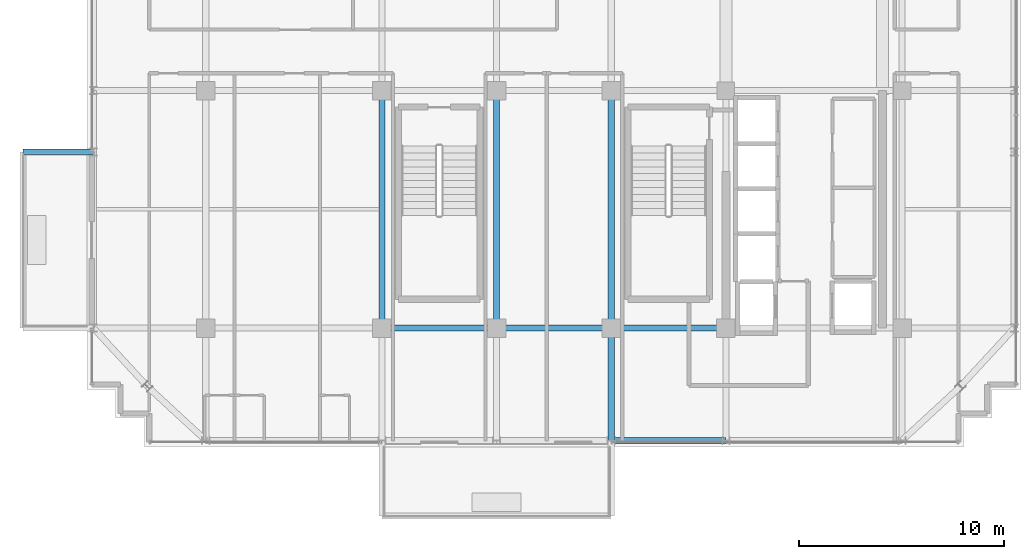
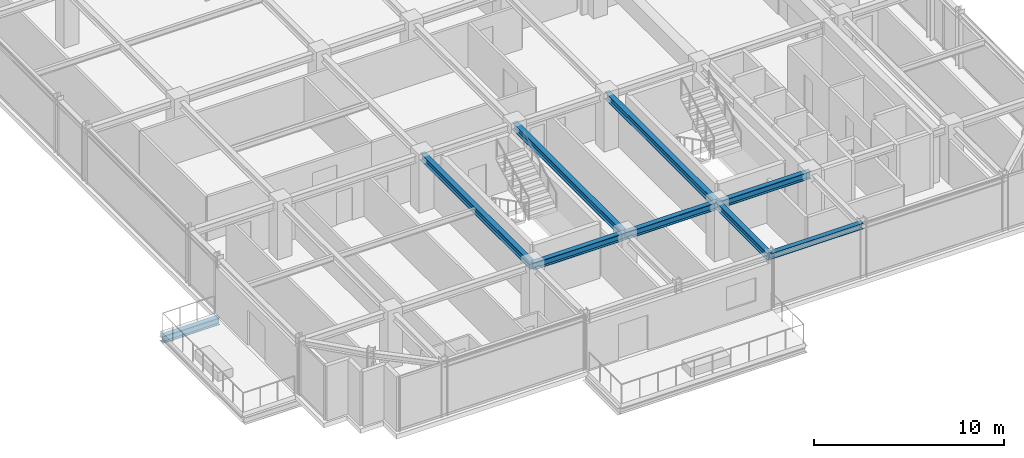
# One storey, part 8 of 31: 9 beams.
"""IFC4 building model written with IfcOpenShell, lengths in metres."""

from ifc_helpers import new_model, si_unit, direction, frame, origin, origin_2d, place, context, subcontext, project, spatial, i_section, extrude, source, transform, mapped, material, material_profile, profile_set, type_object, element, save


model = new_model("IFC4")

# Units and contexts
model_context = context("Model", 3, precision=1e-05, world=origin(), true_north=direction((0.0, 1.0)))
body_context = subcontext(model_context, "Body", "Model", "MODEL_VIEW")
ifc_project = project(units=[si_unit("LENGTHUNIT", "METRE"), si_unit("AREAUNIT", "SQUARE_METRE"), si_unit("VOLUMEUNIT", "CUBIC_METRE"), si_unit("PLANEANGLEUNIT", "RADIAN"), si_unit("MASSUNIT", "GRAM", prefix="KILO")], contexts=[model_context])

# Site, building, storey
site_placement = place(None, origin())
site = spatial("IfcSite", under=ifc_project, at=site_placement, CompositionType="ELEMENT")
building_placement = place(site_placement, origin())
building = spatial("IfcBuilding", under=site, at=building_placement, Name="Nahalor Promenade Grand Hotel", CompositionType="ELEMENT")
storey_placement = place(building_placement, frame((0.0, 0.0, 323.35009765625)))
storey = spatial("IfcBuildingStorey", under=building, at=storey_placement, Name="L83", CompositionType="ELEMENT", Elevation=323.35009765625)

# Beams
ifc_material = material(Name="Steel S355JR", Category="steel")
ifc_material_profile_1 = material_profile(ifc_material, i_section(OverallWidth=0.3, OverallDepth=0.45, WebThickness=0.014, FlangeThickness=0.026, at=origin_2d()), Name="HEB 450")
ifc_profile_set_1 = profile_set([ifc_material_profile_1], Name="Steel S355JR")
beam_type_1 = type_object("IfcBeamType", Name="Beam-Outrigger-HEB450", PredefinedType="BEAM", material=ifc_profile_set_1)
shared_shape_1 = source(origin(), body_context, "Body", "SweptSolid", [
    extrude(i_section(OverallWidth=0.3, OverallDepth=0.45, WebThickness=0.014, FlangeThickness=0.026, at=origin_2d()), origin(), (0.0, 0.0, 1.0), 3.43994140625),
])
beam_1_placement = place(storey_placement, frame((-25.919921875, -8.39990234375, -0.505126953125), z_axis=(1.0, 0.0, 0.0), x_axis=(0.0, 1.0, 0.0)))
element("IfcBeam", 1, at=beam_1_placement, inside=storey, type_object=beam_type_1, Name="BM-L83-BC-02-2", PredefinedType="BEAM", context=body_context, shape_type="MappedRepresentation", body=[
    mapped(shared_shape_1, transform((0.0, 0.0, 0.0), scale=1.0)),
])
ifc_material_profile_2 = material_profile(ifc_material, i_section(OverallWidth=0.3, OverallDepth=0.45, WebThickness=0.014, FlangeThickness=0.026, at=origin_2d()), Name="HEB 450")
ifc_profile_set_2 = profile_set([ifc_material_profile_2], Name="Steel S355JR")
beam_type_2 = type_object("IfcBeamType", Name="Beam-Girder-HEB450", PredefinedType="BEAM", material=ifc_profile_set_2)
shared_shape_2 = source(origin(), body_context, "Body", "SweptSolid", [
    extrude(i_section(OverallWidth=0.3, OverallDepth=0.45, WebThickness=0.014, FlangeThickness=0.026, at=origin_2d()), origin(), (0.0, 0.0, 1.0), 5.599853515625),
])
for number, where, z_axis, x_axis, name in (
    (2, (-8.39990234375, -17.0, 3.27490234375), (1.0, 0.0, 0.0), (0.0, 1.0, 0.0), "BM-L83-GX-0-2"),
    (3, (2.800048828125, -17.0, 3.27490234375), (1.0, 0.0, 0.0), (0.0, 1.0, 0.0), "BM-L83-GX-0-4"),
):
    element("IfcBeam", number, at=place(storey_placement, frame(where, z_axis=z_axis, x_axis=x_axis)), inside=storey, type_object=beam_type_2, Name=name, PredefinedType="BEAM", context=body_context, shape_type="MappedRepresentation", body=[
        mapped(shared_shape_2, transform((0.0, 0.0, 0.0), scale=1.0)),
    ])
shared_shape_3 = source(origin(), body_context, "Body", "SweptSolid", [
    extrude(i_section(OverallWidth=0.3, OverallDepth=0.45, WebThickness=0.014, FlangeThickness=0.026, at=origin_2d()), origin(), (0.0, 0.0, 1.0), 5.60009765625),
])
beam_2_placement = place(storey_placement, frame((-2.800048828125, -17.0, 3.27490234375), z_axis=(1.0, 0.0, 0.0), x_axis=(0.0, 1.0, 0.0)))
element("IfcBeam", 4, at=beam_2_placement, inside=storey, type_object=beam_type_2, Name="BM-L83-GX-0-3", PredefinedType="BEAM", context=body_context, shape_type="MappedRepresentation", body=[
    mapped(shared_shape_3, transform((0.0, 0.0, 0.0), scale=1.0)),
])
shared_shape_4 = source(origin(), body_context, "Body", "SweptSolid", [
    extrude(i_section(OverallWidth=0.3, OverallDepth=0.45, WebThickness=0.014, FlangeThickness=0.026, at=origin_2d()), origin(), (0.0, 0.0, 1.0), 11.60009765625),
])
for number, where, z_axis, x_axis, name in (
    (5, (-8.39990234375, -17.0, 3.27490234375), (0.0, 1.0, 0.0), (-1.0, 0.0, 0.0), "BM-L83-GY-1-1"),
    (6, (-2.800048828125, -17.0, 3.27490234375), (0.0, 1.0, 0.0), (-1.0, 0.0, 0.0), "BM-L83-GY-2-1"),
    (7, (2.800048828125, -17.0, 3.27490234375), (0.0, 1.0, 0.0), (-1.0, 0.0, 0.0), "BM-L83-GY-3-1"),
):
    element("IfcBeam", number, at=place(storey_placement, frame(where, z_axis=z_axis, x_axis=x_axis)), inside=storey, type_object=beam_type_2, Name=name, PredefinedType="BEAM", context=body_context, shape_type="MappedRepresentation", body=[
        mapped(shared_shape_4, transform((0.0, 0.0, 0.0), scale=1.0)),
    ])
shared_shape_5 = source(origin(), body_context, "Body", "SweptSolid", [
    extrude(i_section(OverallWidth=0.3, OverallDepth=0.45, WebThickness=0.014, FlangeThickness=0.026, at=origin_2d()), origin(), (0.0, 0.0, 1.0), 5.47998046875),
])
beam_3_placement = place(storey_placement, frame((2.800048828125, -22.47998046875, 3.27490234375), z_axis=(0.0, 1.0, 0.0), x_axis=(-1.0, 0.0, 0.0)))
element("IfcBeam", 8, at=beam_3_placement, inside=storey, type_object=beam_type_2, Name="BM-L83-GY-3-0", PredefinedType="BEAM", context=body_context, shape_type="MappedRepresentation", body=[
    mapped(shared_shape_5, transform((0.0, 0.0, 0.0), scale=1.0)),
])
ifc_material_profile_3 = material_profile(ifc_material, i_section(OverallWidth=0.3, OverallDepth=0.36, WebThickness=0.0125, FlangeThickness=0.0225, at=origin_2d()), Name="HEB 360")
ifc_profile_set_3 = profile_set([ifc_material_profile_3], Name="Steel S355JR")
beam_type_3 = type_object("IfcBeamType", Name="Beam-Spandrel-HEB360", PredefinedType="SPANDREL", material=ifc_profile_set_3)
shared_shape_6 = source(origin(), body_context, "Body", "SweptSolid", [
    extrude(i_section(OverallWidth=0.3, OverallDepth=0.36, WebThickness=0.0125, FlangeThickness=0.0225, at=origin_2d()), origin(), (0.0, 0.0, 1.0), 5.599853515625),
])
beam_4_placement = place(storey_placement, frame((2.800048828125, -22.47998046875, 3.31982421875), z_axis=(1.0, 0.0, 0.0), x_axis=(0.0, 1.0, 0.0)))
element("IfcBeam", 9, at=beam_4_placement, inside=storey, type_object=beam_type_3, Name="BM-L83-SP-S-3", PredefinedType="SPANDREL", context=body_context, shape_type="MappedRepresentation", body=[
    mapped(shared_shape_6, transform((0.0, 0.0, 0.0), scale=1.0)),
])

save(model, "model.ifc")
